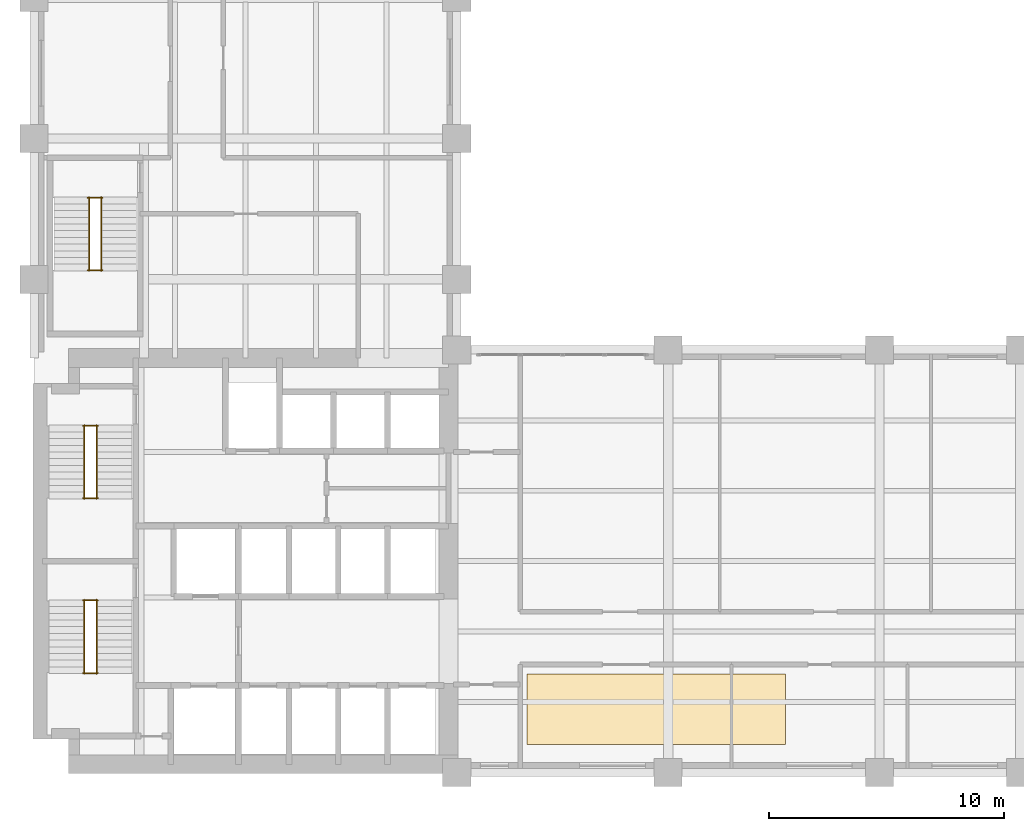
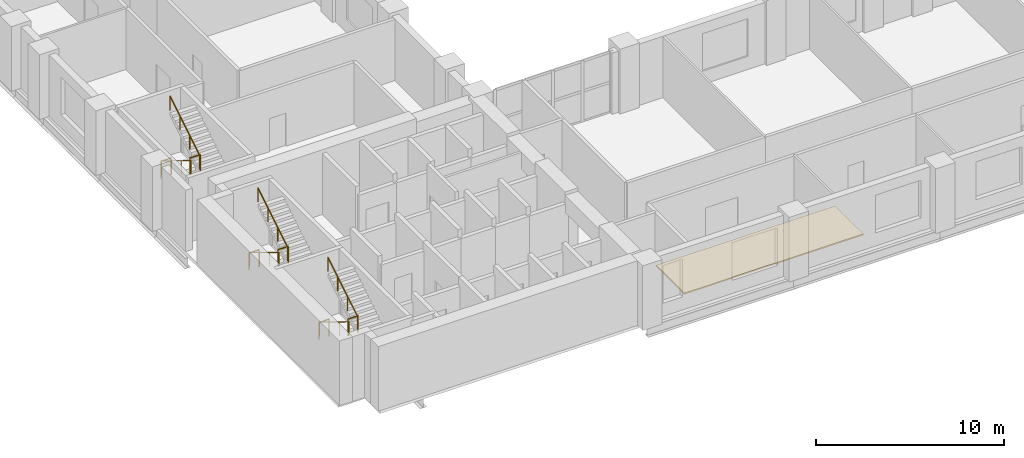
# One storey, part 8 of 8: 12 railings, 1 covering.
"""IFC4 building model written with IfcOpenShell, lengths in metres."""

from ifc_helpers import new_model, si_unit, direction, frame, origin, origin_2d, place, context, subcontext, project, spatial, polyline, circle, outline, extrude, material, layer, layer_set, type_object, element, save


model = new_model("IFC4")

# Units and contexts
model_context = context("Model", 3, precision=1e-05, world=origin(), true_north=direction((0.0, 1.0)))
body_context = subcontext(model_context, "Body", "Model", "MODEL_VIEW")
ifc_project = project(units=[si_unit("LENGTHUNIT", "METRE"), si_unit("AREAUNIT", "SQUARE_METRE"), si_unit("VOLUMEUNIT", "CUBIC_METRE"), si_unit("PLANEANGLEUNIT", "RADIAN"), si_unit("MASSUNIT", "GRAM", prefix="KILO")], contexts=[model_context])

# Site, building, storey
site_placement = place(None, origin())
site = spatial("IfcSite", under=ifc_project, at=site_placement, CompositionType="ELEMENT")
building_placement = place(site_placement, origin())
building = spatial("IfcBuilding", under=site, at=building_placement, Name="Mawjdan Bourse Tower", CompositionType="ELEMENT")
storey_placement = place(building_placement, frame((0.0, 0.0, 76.199951171875)))
storey = spatial("IfcBuildingStorey", under=building, at=storey_placement, Name="L17", CompositionType="ELEMENT", Elevation=76.199951171875)

# Covering
ifc_material_1 = material(Name="Calcium Sulphate Antistatic Raised Floor Tile")
ifc_layer = layer(ifc_material_1, 0.080078125)
ifc_layer_set = layer_set([ifc_layer], Name="Calcium Sulphate Antistatic Raised Floor Tile")
covering_type = type_object("IfcCoveringType", Name="COV-FLR-450", PredefinedType="FLOORING", material=ifc_layer_set)
covering_placement = place(storey_placement, origin())
element("IfcCovering", 1, at=covering_placement, inside=storey, type_object=covering_type, Name="L17 Antistatic Raised Access Trading Floor", PredefinedType="FLOORING", context=body_context, shape_type="SweptSolid", body=[
    extrude(outline(polyline([(27.0, 4.199951171875), (38.0, 4.199951171875), (38.0, 7.199951171875), (27.0, 7.199951171875), (27.0, 4.199951171875)])), origin(), (0.0, 0.0, 1.0), 0.080078125),
])

# Railings
ifc_material_2 = material(Name="Structural Steel S355", Category="steel")
railing_type_1 = type_object("IfcRailingType", Name="RLG-GRD-1100", PredefinedType="GUARDRAIL", material=ifc_material_2)
for number, where, name in (
    (2, (8.090087890625, 7.235107421875, 2.10009765625), "L17 ST1 Landing Guardrail GL-MID"),
    (3, (8.090087890625, 10.330078125, 0.0), "L17 ST1 Landing Guardrail GL-BOT"),
    (4, (8.090087890625, 14.675048828125, 2.10009765625), "L17 ST2 Landing Guardrail GL-MID"),
    (5, (8.090087890625, 17.77001953125, 0.0), "L17 ST2 Landing Guardrail GL-BOT"),
    (6, (8.2900390625, 24.385009765625, 2.10009765625), "L17 ST3 Landing Guardrail GL-MID"),
    (7, (8.2900390625, 27.47998046875, 0.0), "L17 ST3 Landing Guardrail GL-BOT"),
):
    element("IfcRailing", number, at=place(storey_placement, frame(where)), inside=storey, type_object=railing_type_1, Name=name, PredefinedType="GUARDRAIL", context=body_context, shape_type="SweptSolid", body=[
        extrude(circle(Radius=0.02490234375, at=origin_2d()), frame((0.0, 0.0, 1.0751953125), z_axis=(1.0, 0.0, 0.0), x_axis=(0.0, 1.0, 0.0)), (0.0, 0.0, 1.0), 0.619873046875),
        extrude(circle(Radius=0.02099609375, at=origin_2d()), origin(), (0.0, 0.0, 1.0), 1.050048828125),
        extrude(circle(Radius=0.02099609375, at=origin_2d()), frame((0.619873046875, 0.0, 0.0)), (0.0, 0.0, 1.0), 1.050048828125),
    ])
ifc_material_3 = material(Name="Brushed Stainless Steel", Category="steel")
railing_type_2 = type_object("IfcRailingType", Name="RLG-HND-920", PredefinedType="HANDRAIL", material=ifc_material_3)
railing_1_placement = place(storey_placement, frame((8.139892578125, 10.35009765625, 0.175048828125)))
element("IfcRailing", 8, at=railing_1_placement, inside=storey, type_object=railing_type_2, Name="L17 ST1 Flight Handrail HR1", PredefinedType="HANDRAIL", context=body_context, shape_type="SweptSolid", body=[
    extrude(circle(Radius=0.0224609375, at=origin_2d()), frame((0.0, 0.0, 0.8974609375), z_axis=(0.0, -0.852166034122, 0.523271488128), x_axis=(1.0, 0.0, 0.0)), (0.0, 0.0, 1.0), 3.678955078125),
    extrude(circle(Radius=0.01904296875, at=origin_2d()), origin(), (0.0, 0.0, 1.0), 0.875),
    extrude(circle(Radius=0.01904296875, at=origin_2d()), frame((0.0, -1.044921875, 0.6416015625)), (0.0, 0.0, 1.0), 0.875),
    extrude(circle(Radius=0.01904296875, at=origin_2d()), frame((0.0, -2.090087890625, 1.283447265625)), (0.0, 0.0, 1.0), 0.875),
    extrude(circle(Radius=0.01904296875, at=origin_2d()), frame((0.0, -3.135009765625, 1.925048828125)), (0.0, 0.0, 1.0), 0.875),
])
railing_2_placement = place(storey_placement, frame((8.659912109375, 7.215087890625, 2.275146484375)))
element("IfcRailing", 9, at=railing_2_placement, inside=storey, type_object=railing_type_2, Name="L17 ST1 Flight Handrail HR2", PredefinedType="HANDRAIL", context=body_context, shape_type="SweptSolid", body=[
    extrude(circle(Radius=0.0224609375, at=origin_2d()), frame((0.0, 0.0, 0.8974609375), z_axis=(0.0, 0.852195625947, 0.523223293744), x_axis=(-1.0, 0.0, 0.0)), (0.0, 0.0, 1.0), 3.6787109375),
    extrude(circle(Radius=0.01904296875, at=origin_2d()), origin(), (0.0, 0.0, 1.0), 0.875),
    extrude(circle(Radius=0.01904296875, at=origin_2d()), frame((0.0, 1.044921875, 0.6416015625)), (0.0, 0.0, 1.0), 0.875),
    extrude(circle(Radius=0.01904296875, at=origin_2d()), frame((0.0, 2.090087890625, 1.283203125)), (0.0, 0.0, 1.0), 0.875),
    extrude(circle(Radius=0.01904296875, at=origin_2d()), frame((0.0, 3.135009765625, 1.9248046875)), (0.0, 0.0, 1.0), 0.875),
])
railing_3_placement = place(storey_placement, frame((8.139892578125, 17.7900390625, 0.175048828125)))
element("IfcRailing", 10, at=railing_3_placement, inside=storey, type_object=railing_type_2, Name="L17 ST2 Flight Handrail HR1", PredefinedType="HANDRAIL", context=body_context, shape_type="SweptSolid", body=[
    extrude(circle(Radius=0.0224609375, at=origin_2d()), frame((0.0, 0.0, 0.8974609375), z_axis=(0.0, -0.852166034122, 0.523271488128), x_axis=(1.0, 0.0, 0.0)), (0.0, 0.0, 1.0), 3.678955078125),
    extrude(circle(Radius=0.01904296875, at=origin_2d()), origin(), (0.0, 0.0, 1.0), 0.875),
    extrude(circle(Radius=0.01904296875, at=origin_2d()), frame((0.0, -1.044921875, 0.6416015625)), (0.0, 0.0, 1.0), 0.875),
    extrude(circle(Radius=0.01904296875, at=origin_2d()), frame((0.0, -2.090087890625, 1.283447265625)), (0.0, 0.0, 1.0), 0.875),
    extrude(circle(Radius=0.01904296875, at=origin_2d()), frame((0.0, -3.135009765625, 1.925048828125)), (0.0, 0.0, 1.0), 0.875),
])
railing_4_placement = place(storey_placement, frame((8.659912109375, 14.655029296875, 2.275146484375)))
element("IfcRailing", 11, at=railing_4_placement, inside=storey, type_object=railing_type_2, Name="L17 ST2 Flight Handrail HR2", PredefinedType="HANDRAIL", context=body_context, shape_type="SweptSolid", body=[
    extrude(circle(Radius=0.0224609375, at=origin_2d()), frame((0.0, 0.0, 0.8974609375), z_axis=(0.0, 0.852195625947, 0.523223293744), x_axis=(-1.0, 0.0, 0.0)), (0.0, 0.0, 1.0), 3.6787109375),
    extrude(circle(Radius=0.01904296875, at=origin_2d()), origin(), (0.0, 0.0, 1.0), 0.875),
    extrude(circle(Radius=0.01904296875, at=origin_2d()), frame((0.0, 1.044921875, 0.6416015625)), (0.0, 0.0, 1.0), 0.875),
    extrude(circle(Radius=0.01904296875, at=origin_2d()), frame((0.0, 2.090087890625, 1.283203125)), (0.0, 0.0, 1.0), 0.875),
    extrude(circle(Radius=0.01904296875, at=origin_2d()), frame((0.0, 3.135009765625, 1.9248046875)), (0.0, 0.0, 1.0), 0.875),
])
railing_5_placement = place(storey_placement, frame((8.340087890625, 27.5, 0.175048828125)))
element("IfcRailing", 12, at=railing_5_placement, inside=storey, type_object=railing_type_2, Name="L17 ST3 Flight Handrail HR1", PredefinedType="HANDRAIL", context=body_context, shape_type="SweptSolid", body=[
    extrude(circle(Radius=0.0224609375, at=origin_2d()), frame((0.0, 0.0, 0.8974609375), z_axis=(0.0, -0.852166034122, 0.523271488128), x_axis=(1.0, 0.0, 0.0)), (0.0, 0.0, 1.0), 3.678955078125),
    extrude(circle(Radius=0.01904296875, at=origin_2d()), origin(), (0.0, 0.0, 1.0), 0.875),
    extrude(circle(Radius=0.01904296875, at=origin_2d()), frame((0.0, -1.044921875, 0.6416015625)), (0.0, 0.0, 1.0), 0.875),
    extrude(circle(Radius=0.01904296875, at=origin_2d()), frame((0.0, -2.090087890625, 1.283447265625)), (0.0, 0.0, 1.0), 0.875),
    extrude(circle(Radius=0.01904296875, at=origin_2d()), frame((0.0, -3.135009765625, 1.925048828125)), (0.0, 0.0, 1.0), 0.875),
])
railing_6_placement = place(storey_placement, frame((8.860107421875, 24.364990234375, 2.275146484375)))
element("IfcRailing", 13, at=railing_6_placement, inside=storey, type_object=railing_type_2, Name="L17 ST3 Flight Handrail HR2", PredefinedType="HANDRAIL", context=body_context, shape_type="SweptSolid", body=[
    extrude(circle(Radius=0.0224609375, at=origin_2d()), frame((0.0, 0.0, 0.8974609375), z_axis=(0.0, 0.852195625947, 0.523223293744), x_axis=(-1.0, 0.0, 0.0)), (0.0, 0.0, 1.0), 3.6787109375),
    extrude(circle(Radius=0.01904296875, at=origin_2d()), origin(), (0.0, 0.0, 1.0), 0.875),
    extrude(circle(Radius=0.01904296875, at=origin_2d()), frame((0.0, 1.044921875, 0.6416015625)), (0.0, 0.0, 1.0), 0.875),
    extrude(circle(Radius=0.01904296875, at=origin_2d()), frame((0.0, 2.090087890625, 1.283203125)), (0.0, 0.0, 1.0), 0.875),
    extrude(circle(Radius=0.01904296875, at=origin_2d()), frame((0.0, 3.135009765625, 1.9248046875)), (0.0, 0.0, 1.0), 0.875),
])

save(model, "model.ifc")
